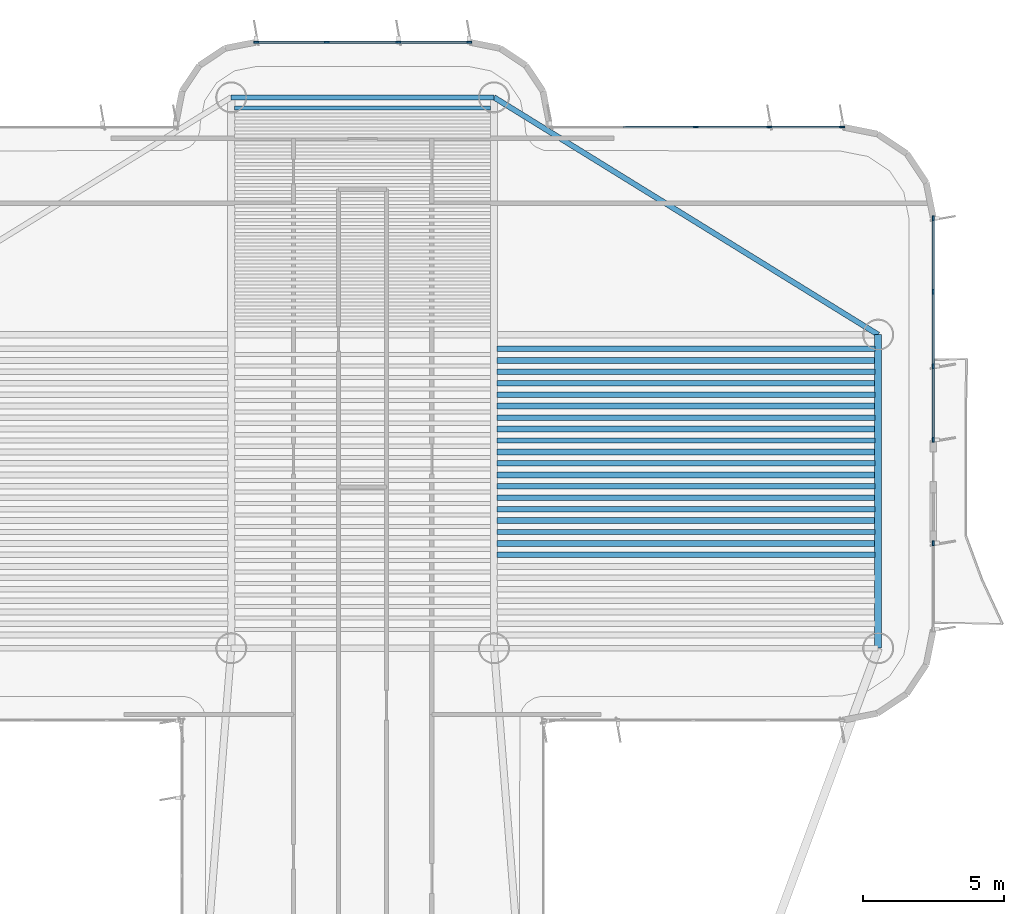
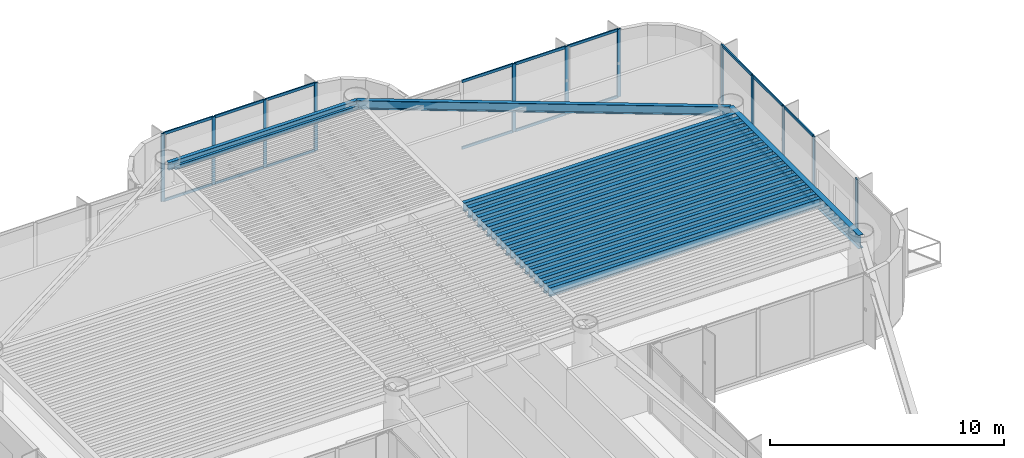
# One storey, part 7 of 13: 30 members, 23 beams, 4 elements without a shape of their own.
"""IFC4 building model written with IfcOpenShell, lengths in metres."""

from ifc_helpers import new_model, si_unit, direction, frame, origin, origin_2d, place, context, subcontext, project, spatial, rectangle, i_section, extrude, source, transform, mapped, material, layer, layer_set, material_profile, profile_set, type_object, element, aggregate, save


model = new_model("IFC4")

# Units and contexts
model_context = context("Model", 3, precision=1e-05, world=origin(), true_north=direction((0.0, 1.0)))
body_context = subcontext(model_context, "Body", "Model", "MODEL_VIEW")
ifc_project = project(units=[si_unit("LENGTHUNIT", "METRE"), si_unit("AREAUNIT", "SQUARE_METRE"), si_unit("VOLUMEUNIT", "CUBIC_METRE"), si_unit("PLANEANGLEUNIT", "RADIAN"), si_unit("MASSUNIT", "GRAM", prefix="KILO")], contexts=[model_context])

# Site, building, storey
site_placement = place(None, origin())
site = spatial("IfcSite", under=ifc_project, at=site_placement, CompositionType="ELEMENT")
building_placement = place(site_placement, origin())
building = spatial("IfcBuilding", under=site, at=building_placement, Name="Brelvock Crest Care Tower", CompositionType="ELEMENT")
storey_placement = place(building_placement, frame((0.0, 0.0, 190.43994140625)))
storey = spatial("IfcBuildingStorey", under=building, at=storey_placement, Name="L48", CompositionType="ELEMENT", Elevation=190.43994140625)

# Beams
ifc_material_1 = material(Name="Steel Grade 350", Category="steel")
ifc_material_profile_1 = material_profile(ifc_material_1, i_section(OverallWidth=0.177978515625, OverallDepth=0.406005859375, WebThickness=0.0078125, FlangeThickness=0.0126953125, FilletRadius=0.011474609375, at=origin_2d()), Name="410UB59.7")
ifc_profile_set_1 = profile_set([ifc_material_profile_1], Name="Steel Grade 350")
beam_type_1 = type_object("IfcBeamType", Name="BM-SP1", PredefinedType="SPANDREL", material=ifc_profile_set_1)
shared_shape_1 = source(origin(), body_context, "Body", "SweptSolid", [
    extrude(i_section(OverallWidth=0.177978515625, OverallDepth=0.406005859375, WebThickness=0.0078125, FlangeThickness=0.0126953125, FilletRadius=0.011474609375, at=origin_2d()), origin(), (0.0, 0.0, 1.0), 9.2998046875),
])
beam_1_placement = place(storey_placement, frame((31.35009765625, 54.449951171875, 3.3271484375), z_axis=(1.0, 0.0, 0.0), x_axis=(0.0, 1.0, 0.0)))
element("IfcBeam", 1, at=beam_1_placement, inside=storey, type_object=beam_type_1, Name="BM-TWR-L48-08", PredefinedType="SPANDREL", context=body_context, shape_type="MappedRepresentation", body=[
    mapped(shared_shape_1, transform((0.0, 0.0, 0.0), x_axis=(1.0, 0.0, 0.0), y_axis=(0.0, 1.0, 0.0), z_axis=(0.0, 0.0, 1.0), scale=1.0)),
])
ifc_material_profile_2 = material_profile(ifc_material_1, i_section(OverallWidth=0.134033203125, OverallDepth=0.20703125, WebThickness=0.00634765625, FlangeThickness=0.009521484375, FilletRadius=0.0087890625, at=origin_2d()), Name="200UB29.8")
ifc_profile_set_2 = profile_set([ifc_material_profile_2], Name="Steel Grade 350")
beam_type_2 = type_object("IfcBeamType", Name="BM-J4", PredefinedType="JOIST", material=ifc_profile_set_2)
shared_shape_2 = source(origin(), body_context, "Body", "SweptSolid", [
    extrude(i_section(OverallWidth=0.134033203125, OverallDepth=0.20703125, WebThickness=0.00634765625, FlangeThickness=0.009521484375, FilletRadius=0.0087890625, at=origin_2d()), origin(), (0.0, 0.0, 1.0), 9.06982421875),
])
beam_2_placement = place(storey_placement, frame((31.465087890625, 54.06787109375, 3.426513671875), z_axis=(1.0, 0.0, 0.0), x_axis=(0.0, 1.0, 0.0)))
element("IfcBeam", 2, at=beam_2_placement, inside=storey, type_object=beam_type_2, Name="BM-JN-L48-32", PredefinedType="JOIST", context=body_context, shape_type="MappedRepresentation", body=[
    mapped(shared_shape_2, transform((0.0, 0.0, 0.0), x_axis=(1.0, 0.0, 0.0), y_axis=(0.0, 1.0, 0.0), z_axis=(0.0, 0.0, 1.0), scale=1.0)),
])
ifc_material_profile_3 = material_profile(ifc_material_1, i_section(OverallWidth=0.208984375, OverallDepth=0.532958984375, WebThickness=0.01025390625, FlangeThickness=0.015625, FilletRadius=0.013916015625, at=origin_2d()), Name="530UB92.4")
ifc_profile_set_3 = profile_set([ifc_material_profile_3], Name="Steel Grade 350")
beam_type_3 = type_object("IfcBeamType", Name="BM-G2", PredefinedType="BEAM", material=ifc_profile_set_3)
shared_shape_3 = source(origin(), body_context, "Body", "SweptSolid", [
    extrude(i_section(OverallWidth=0.208984375, OverallDepth=0.532958984375, WebThickness=0.01025390625, FlangeThickness=0.015625, FilletRadius=0.013916015625, at=origin_2d()), origin(), (0.0, 0.0, 1.0), 13.3701171875),
])
for number, where, z_axis, x_axis, name in (
    (3, (40.764892578125, 38.657470703125, 3.263671875), (1.0, 0.0, 0.0), (0.0, 1.0, 0.0), "BM-JE-L48-9"),
    (4, (40.764892578125, 39.4677734375, 3.263671875), (1.0, 0.0, 0.0), (0.0, 1.0, 0.0), "BM-JE-L48-11"),
    (5, (40.764892578125, 40.278076171875, 3.263671875), (1.0, 0.0, 0.0), (0.0, 1.0, 0.0), "BM-JE-L48-13"),
    (6, (40.764892578125, 41.08837890625, 3.263671875), (1.0, 0.0, 0.0), (0.0, 1.0, 0.0), "BM-JE-L48-15"),
    (7, (40.764892578125, 41.898681640625, 3.263671875), (1.0, 0.0, 0.0), (0.0, 1.0, 0.0), "BM-JE-L48-17"),
    (8, (40.764892578125, 42.708984375, 3.263671875), (1.0, 0.0, 0.0), (0.0, 1.0, 0.0), "BM-JE-L48-19"),
    (9, (40.764892578125, 43.519287109375, 3.263671875), (1.0, 0.0, 0.0), (0.0, 1.0, 0.0), "BM-JE-L48-21"),
    (10, (40.764892578125, 44.32958984375, 3.263671875), (1.0, 0.0, 0.0), (0.0, 1.0, 0.0), "BM-JE-L48-23"),
    (11, (40.764892578125, 45.139892578125, 3.263671875), (1.0, 0.0, 0.0), (0.0, 1.0, 0.0), "BM-JE-L48-25"),
):
    element("IfcBeam", number, at=place(storey_placement, frame(where, z_axis=z_axis, x_axis=x_axis)), inside=storey, type_object=beam_type_3, Name=name, PredefinedType="BEAM", context=body_context, shape_type="MappedRepresentation", body=[
        mapped(shared_shape_3, transform((0.0, 0.0, 0.0), x_axis=(1.0, 0.0, 0.0), y_axis=(0.0, 1.0, 0.0), z_axis=(0.0, 0.0, 1.0), scale=1.0)),
    ])
ifc_material_profile_4 = material_profile(ifc_material_1, i_section(OverallWidth=0.19091796875, OverallDepth=0.4599609375, WebThickness=0.010009765625, FlangeThickness=0.01611328125, FilletRadius=0.011474609375, at=origin_2d()), Name="460UB82.1")
ifc_profile_set_4 = profile_set([ifc_material_profile_4], Name="Steel Grade 350")
beam_type_4 = type_object("IfcBeamType", Name="BM-G3", PredefinedType="BEAM", material=ifc_profile_set_4)
shared_shape_4 = source(origin(), body_context, "Body", "SweptSolid", [
    extrude(i_section(OverallWidth=0.19091796875, OverallDepth=0.4599609375, WebThickness=0.010009765625, FlangeThickness=0.01611328125, FilletRadius=0.011474609375, at=origin_2d()), origin(), (0.0, 0.0, 1.0), 13.3701171875),
])
for number, where, z_axis, x_axis, name in (
    (12, (40.764892578125, 38.252197265625, 3.300048828125), (1.0, 0.0, 0.0), (0.0, 1.0, 0.0), "BM-JE-L48-8"),
    (13, (40.764892578125, 39.0625, 3.300048828125), (1.0, 0.0, 0.0), (0.0, 1.0, 0.0), "BM-JE-L48-10"),
    (14, (40.764892578125, 39.872802734375, 3.300048828125), (1.0, 0.0, 0.0), (0.0, 1.0, 0.0), "BM-JE-L48-12"),
    (15, (40.764892578125, 40.68310546875, 3.300048828125), (1.0, 0.0, 0.0), (0.0, 1.0, 0.0), "BM-JE-L48-14"),
    (16, (40.764892578125, 41.493408203125, 3.300048828125), (1.0, 0.0, 0.0), (0.0, 1.0, 0.0), "BM-JE-L48-16"),
    (17, (40.764892578125, 42.3037109375, 3.300048828125), (1.0, 0.0, 0.0), (0.0, 1.0, 0.0), "BM-JE-L48-18"),
    (18, (40.764892578125, 43.114013671875, 3.300048828125), (1.0, 0.0, 0.0), (0.0, 1.0, 0.0), "BM-JE-L48-20"),
    (19, (40.764892578125, 43.92431640625, 3.300048828125), (1.0, 0.0, 0.0), (0.0, 1.0, 0.0), "BM-JE-L48-22"),
    (20, (40.764892578125, 44.734619140625, 3.300048828125), (1.0, 0.0, 0.0), (0.0, 1.0, 0.0), "BM-JE-L48-24"),
    (21, (40.764892578125, 45.544921875, 3.300048828125), (1.0, 0.0, 0.0), (0.0, 1.0, 0.0), "BM-JE-L48-26"),
):
    element("IfcBeam", number, at=place(storey_placement, frame(where, z_axis=z_axis, x_axis=x_axis)), inside=storey, type_object=beam_type_4, Name=name, PredefinedType="BEAM", context=body_context, shape_type="MappedRepresentation", body=[
        mapped(shared_shape_4, transform((0.0, 0.0, 0.0), x_axis=(1.0, 0.0, 0.0), y_axis=(0.0, 1.0, 0.0), z_axis=(0.0, 0.0, 1.0), scale=1.0)),
    ])
ifc_material_profile_5 = material_profile(ifc_material_1, i_section(OverallWidth=0.25, OverallDepth=0.699951171875, WebThickness=0.011962890625, FlangeThickness=0.02001953125, at=origin_2d()), Name="700WB150")
ifc_profile_set_5 = profile_set([ifc_material_profile_5], Name="Steel Grade 350")
beam_type_5 = type_object("IfcBeamType", Name="BM-G4", PredefinedType="BEAM", material=ifc_profile_set_5)
shared_shape_5 = source(origin(), body_context, "Body", "SweptSolid", [
    extrude(i_section(OverallWidth=0.25, OverallDepth=0.699951171875, WebThickness=0.011962890625, FlangeThickness=0.02001953125, at=origin_2d()), origin(), (0.0, 0.0, 1.0), 11.10009765625),
])
beam_3_placement = place(storey_placement, frame((54.25, 34.949951171875, 3.18017578125), z_axis=(0.0, 1.0, 0.0), x_axis=(-1.0, 0.0, 0.0)))
element("IfcBeam", 22, at=beam_3_placement, inside=storey, type_object=beam_type_5, Name="BM-TWR-L48-02", PredefinedType="BEAM", context=body_context, shape_type="MappedRepresentation", body=[
    mapped(shared_shape_5, transform((0.0, 0.0, 0.0), x_axis=(1.0, 0.0, 0.0), y_axis=(0.0, 1.0, 0.0), z_axis=(0.0, 0.0, 1.0), scale=1.0)),
])
ifc_material_profile_6 = material_profile(ifc_material_1, i_section(OverallWidth=0.19091796875, OverallDepth=0.4599609375, WebThickness=0.010009765625, FlangeThickness=0.01611328125, FilletRadius=0.011474609375, at=origin_2d()), Name="460UB82.1")
ifc_profile_set_6 = profile_set([ifc_material_profile_6], Name="Steel Grade 350")
beam_type_6 = type_object("IfcBeamType", Name="BM-SP2", PredefinedType="SPANDREL", material=ifc_profile_set_6)
shared_shape_6 = source(origin(), body_context, "Body", "SweptSolid", [
    extrude(i_section(OverallWidth=0.19091796875, OverallDepth=0.4599609375, WebThickness=0.010009765625, FlangeThickness=0.01611328125, FilletRadius=0.011474609375, at=origin_2d()), origin(), (0.0, 0.0, 1.0), 15.985107421875),
])
beam_4_placement = place(storey_placement, frame((40.64990234375, 54.449951171875, 3.300048828125), z_axis=(0.850802415717, -0.525485727124, 0.0), x_axis=(0.525485727124, 0.850802415717, 0.0)))
element("IfcBeam", 23, at=beam_4_placement, inside=storey, type_object=beam_type_6, Name="BM-TWR-L48-07", PredefinedType="SPANDREL", context=body_context, shape_type="MappedRepresentation", body=[
    mapped(shared_shape_6, transform((0.0, 0.0, 0.0), x_axis=(1.0, 0.0, 0.0), y_axis=(0.0, 1.0, 0.0), z_axis=(0.0, 0.0, 1.0), scale=1.0)),
])

# Curtain wall, members
ifc_material_2 = material(Name="Dark Glass Double Glazed Low-E", Category="glass")
ifc_layer = layer(ifc_material_2, 0.22509765625, Name="CWS-4")
ifc_layer_set = layer_set([ifc_layer], Name="Dark Glass Double Glazed Low-E")
curtain_wall_type = type_object("IfcCurtainWallType", Name="CWS-4", PredefinedType="NOTDEFINED", material=ifc_layer_set)
curtain_wall_1_placement = place(storey_placement, origin())
curtain_wall_1 = element("IfcCurtainWall", 24, at=curtain_wall_1_placement, inside=storey, type_object=curtain_wall_type, Name="L48 Curtain Wall E28", PredefinedType="NOTDEFINED")
ifc_material_3 = material(Name="Aluminium 6063-T6", Category="aluminium")
ifc_material_profile_7 = material_profile(ifc_material_3, rectangle(XDim=0.06005859375, YDim=0.179931640625, at=origin_2d()), Name="ALU60x180")
ifc_profile_set_7 = profile_set([ifc_material_profile_7], Name="Aluminium 6063-T6")
member_type_1 = type_object("IfcMemberType", Name="CWM-2", PredefinedType="MULLION", material=ifc_profile_set_7)
shared_shape_7 = source(origin(), body_context, "Body", "SweptSolid", [
    extrude(rectangle(XDim=0.06005859375, YDim=0.179931640625, at=origin_2d()), origin(), (0.0, 0.0, 1.0), 3.530029296875),
])
member_1_placement = place(storey_placement, frame((32.22998046875, 56.39990234375, 0.0), z_axis=(0.0, 0.0, 1.0), x_axis=(0.0, 1.0, 0.0)))
member_1 = element("IfcMember", 25, at=member_1_placement, type_object=member_type_1, Name="CW-4 mullion 1", PredefinedType="MULLION", context=body_context, shape_type="MappedRepresentation", body=[
    mapped(shared_shape_7, transform((0.0, 0.0, 0.0), x_axis=(1.0, 0.0, 0.0), y_axis=(0.0, 1.0, 0.0), z_axis=(0.0, 0.0, 1.0), scale=1.0)),
])
member_2_placement = place(storey_placement, frame((34.7333984375, 56.39990234375, 0.0), z_axis=(0.0, 0.0, 1.0), x_axis=(0.0, 1.0, 0.0)))
member_2 = element("IfcMember", 26, at=member_2_placement, type_object=member_type_1, Name="CW-4 mullion 2", PredefinedType="MULLION", context=body_context, shape_type="MappedRepresentation", body=[
    mapped(shared_shape_7, transform((0.0, 0.0, 0.0), x_axis=(1.0, 0.0, 0.0), y_axis=(0.0, 1.0, 0.0), z_axis=(0.0, 0.0, 1.0), scale=1.0)),
])
member_3_placement = place(storey_placement, frame((37.2666015625, 56.39990234375, 0.0), z_axis=(0.0, 0.0, 1.0), x_axis=(0.0, 1.0, 0.0)))
member_3 = element("IfcMember", 27, at=member_3_placement, type_object=member_type_1, Name="CW-4 mullion 3", PredefinedType="MULLION", context=body_context, shape_type="MappedRepresentation", body=[
    mapped(shared_shape_7, transform((0.0, 0.0, 0.0), x_axis=(1.0, 0.0, 0.0), y_axis=(0.0, 1.0, 0.0), z_axis=(0.0, 0.0, 1.0), scale=1.0)),
])
member_4_placement = place(storey_placement, frame((39.77001953125, 56.39990234375, 0.0), z_axis=(0.0, 0.0, 1.0), x_axis=(0.0, 1.0, 0.0)))
member_4 = element("IfcMember", 28, at=member_4_placement, type_object=member_type_1, Name="CW-4 mullion 4", PredefinedType="MULLION", context=body_context, shape_type="MappedRepresentation", body=[
    mapped(shared_shape_7, transform((0.0, 0.0, 0.0), x_axis=(1.0, 0.0, 0.0), y_axis=(0.0, 1.0, 0.0), z_axis=(0.0, 0.0, 1.0), scale=1.0)),
])

curtain_wall_2_placement = place(storey_placement, origin())
curtain_wall_2 = element("IfcCurtainWall", 29, at=curtain_wall_2_placement, inside=storey, type_object=curtain_wall_type, Name="L48 Curtain Wall E34", PredefinedType="NOTDEFINED")
member_5_placement = place(storey_placement, frame((47.800048828125, 53.39990234375, 0.0), z_axis=(0.0, 0.0, 1.0), x_axis=(0.0, 1.0, 0.0)))
member_5 = element("IfcMember", 30, at=member_5_placement, type_object=member_type_1, Name="CW-4 mullion 3", PredefinedType="MULLION", context=body_context, shape_type="MappedRepresentation", body=[
    mapped(shared_shape_7, transform((0.0, 0.0, 0.0), x_axis=(1.0, 0.0, 0.0), y_axis=(0.0, 1.0, 0.0), z_axis=(0.0, 0.0, 1.0), scale=1.0)),
])
member_6_placement = place(storey_placement, frame((50.39990234375, 53.39990234375, 0.0), z_axis=(0.0, 0.0, 1.0), x_axis=(0.0, 1.0, 0.0)))
member_6 = element("IfcMember", 31, at=member_6_placement, type_object=member_type_1, Name="CW-4 mullion 4", PredefinedType="MULLION", context=body_context, shape_type="MappedRepresentation", body=[
    mapped(shared_shape_7, transform((0.0, 0.0, 0.0), x_axis=(1.0, 0.0, 0.0), y_axis=(0.0, 1.0, 0.0), z_axis=(0.0, 0.0, 1.0), scale=1.0)),
])
member_7_placement = place(storey_placement, frame((52.969970703125, 53.39990234375, 0.0), z_axis=(0.0, 0.0, 1.0), x_axis=(0.0, 1.0, 0.0)))
member_7 = element("IfcMember", 32, at=member_7_placement, type_object=member_type_1, Name="CW-4 mullion 5", PredefinedType="MULLION", context=body_context, shape_type="MappedRepresentation", body=[
    mapped(shared_shape_7, transform((0.0, 0.0, 0.0), x_axis=(1.0, 0.0, 0.0), y_axis=(0.0, 1.0, 0.0), z_axis=(0.0, 0.0, 1.0), scale=1.0)),
])

curtain_wall_3_placement = place(storey_placement, origin())
curtain_wall_3 = element("IfcCurtainWall", 33, at=curtain_wall_3_placement, inside=storey, type_object=curtain_wall_type, Name="L48 Curtain Wall E39A", PredefinedType="NOTDEFINED")
member_8_placement = place(storey_placement, frame((56.199951171875, 50.169921875, 0.0), z_axis=(0.0, 0.0, 1.0), x_axis=(1.0, 0.0, 0.0)))
member_8 = element("IfcMember", 34, at=member_8_placement, type_object=member_type_1, Name="CW-4 mullion 1", PredefinedType="MULLION", context=body_context, shape_type="MappedRepresentation", body=[
    mapped(shared_shape_7, transform((0.0, 0.0, 0.0), x_axis=(1.0, 0.0, 0.0), y_axis=(0.0, 1.0, 0.0), z_axis=(0.0, 0.0, 1.0), scale=1.0)),
])
member_9_placement = place(storey_placement, frame((56.199951171875, 47.566650390625, 0.0), z_axis=(0.0, 0.0, 1.0), x_axis=(1.0, 0.0, 0.0)))
member_9 = element("IfcMember", 35, at=member_9_placement, type_object=member_type_1, Name="CW-4 mullion 2", PredefinedType="MULLION", context=body_context, shape_type="MappedRepresentation", body=[
    mapped(shared_shape_7, transform((0.0, 0.0, 0.0), x_axis=(1.0, 0.0, 0.0), y_axis=(0.0, 1.0, 0.0), z_axis=(0.0, 0.0, 1.0), scale=1.0)),
])
member_10_placement = place(storey_placement, frame((56.199951171875, 44.933349609375, 0.0), z_axis=(0.0, 0.0, 1.0), x_axis=(1.0, 0.0, 0.0)))
member_10 = element("IfcMember", 36, at=member_10_placement, type_object=member_type_1, Name="CW-4 mullion 3", PredefinedType="MULLION", context=body_context, shape_type="MappedRepresentation", body=[
    mapped(shared_shape_7, transform((0.0, 0.0, 0.0), x_axis=(1.0, 0.0, 0.0), y_axis=(0.0, 1.0, 0.0), z_axis=(0.0, 0.0, 1.0), scale=1.0)),
])
member_11_placement = place(storey_placement, frame((56.199951171875, 42.330078125, 0.0), z_axis=(0.0, 0.0, 1.0), x_axis=(1.0, 0.0, 0.0)))
member_11 = element("IfcMember", 37, at=member_11_placement, type_object=member_type_1, Name="CW-4 mullion 4", PredefinedType="MULLION", context=body_context, shape_type="MappedRepresentation", body=[
    mapped(shared_shape_7, transform((0.0, 0.0, 0.0), x_axis=(1.0, 0.0, 0.0), y_axis=(0.0, 1.0, 0.0), z_axis=(0.0, 0.0, 1.0), scale=1.0)),
])

# Curtain wall, member
curtain_wall_4_placement = place(storey_placement, origin())
curtain_wall_4 = element("IfcCurtainWall", 38, at=curtain_wall_4_placement, inside=storey, type_object=curtain_wall_type, Name="L48 Curtain Wall E39B", PredefinedType="NOTDEFINED")
member_12_placement = place(storey_placement, frame((56.199951171875, 38.669921875, 0.0), z_axis=(0.0, 0.0, 1.0), x_axis=(1.0, 0.0, 0.0)))
member_12 = element("IfcMember", 39, at=member_12_placement, type_object=member_type_1, Name="CW-4 mullion 1", PredefinedType="MULLION", context=body_context, shape_type="MappedRepresentation", body=[
    mapped(shared_shape_7, transform((0.0, 0.0, 0.0), x_axis=(1.0, 0.0, 0.0), y_axis=(0.0, 1.0, 0.0), z_axis=(0.0, 0.0, 1.0), scale=1.0)),
])
aggregate(curtain_wall_4, [member_12])

# Member
ifc_material_profile_8 = material_profile(ifc_material_3, rectangle(XDim=0.06005859375, YDim=0.139892578125, at=origin_2d()), Name="ALU60x140")
ifc_profile_set_8 = profile_set([ifc_material_profile_8], Name="Aluminium 6063-T6")
member_type_2 = type_object("IfcMemberType", Name="CWT-2", PredefinedType="USERDEFINED", material=ifc_profile_set_8)
shared_shape_8 = source(origin(), body_context, "Body", "SweptSolid", [
    extrude(rectangle(XDim=0.06005859375, YDim=0.139892578125, at=origin_2d()), origin(), (0.0, 0.0, 1.0), 2.443359375),
])
member_13_placement = place(storey_placement, frame((32.260009765625, 56.39990234375, 0.030029296875), z_axis=(1.0, 0.0, 0.0), x_axis=(0.0, 1.0, 0.0)))
member_13 = element("IfcMember", 40, at=member_13_placement, type_object=member_type_2, Name="CW-4 transom 1.1", ObjectType="TRANSOM", PredefinedType="USERDEFINED", context=body_context, shape_type="MappedRepresentation", body=[
    mapped(shared_shape_8, transform((0.0, 0.0, 0.0), x_axis=(1.0, 0.0, 0.0), y_axis=(0.0, 1.0, 0.0), z_axis=(0.0, 0.0, 1.0), scale=1.0)),
])

member_14_placement = place(storey_placement, frame((32.260009765625, 56.39990234375, 3.5), z_axis=(1.0, 0.0, 0.0), x_axis=(0.0, 1.0, 0.0)))
member_14 = element("IfcMember", 41, at=member_14_placement, type_object=member_type_2, Name="CW-4 transom 1.2", ObjectType="TRANSOM", PredefinedType="USERDEFINED", context=body_context, shape_type="MappedRepresentation", body=[
    mapped(shared_shape_8, transform((0.0, 0.0, 0.0), x_axis=(1.0, 0.0, 0.0), y_axis=(0.0, 1.0, 0.0), z_axis=(0.0, 0.0, 1.0), scale=1.0)),
])

member_15_placement = place(storey_placement, frame((37.296630859375, 56.39990234375, 0.030029296875), z_axis=(1.0, 0.0, 0.0), x_axis=(0.0, 1.0, 0.0)))
member_15 = element("IfcMember", 42, at=member_15_placement, type_object=member_type_2, Name="CW-4 transom 3.1", ObjectType="TRANSOM", PredefinedType="USERDEFINED", context=body_context, shape_type="MappedRepresentation", body=[
    mapped(shared_shape_8, transform((0.0, 0.0, 0.0), x_axis=(1.0, 0.0, 0.0), y_axis=(0.0, 1.0, 0.0), z_axis=(0.0, 0.0, 1.0), scale=1.0)),
])

member_16_placement = place(storey_placement, frame((37.296630859375, 56.39990234375, 3.5), z_axis=(1.0, 0.0, 0.0), x_axis=(0.0, 1.0, 0.0)))
member_16 = element("IfcMember", 43, at=member_16_placement, type_object=member_type_2, Name="CW-4 transom 3.2", ObjectType="TRANSOM", PredefinedType="USERDEFINED", context=body_context, shape_type="MappedRepresentation", body=[
    mapped(shared_shape_8, transform((0.0, 0.0, 0.0), x_axis=(1.0, 0.0, 0.0), y_axis=(0.0, 1.0, 0.0), z_axis=(0.0, 0.0, 1.0), scale=1.0)),
])

shared_shape_9 = source(origin(), body_context, "Body", "SweptSolid", [
    extrude(rectangle(XDim=0.06005859375, YDim=0.139892578125, at=origin_2d()), origin(), (0.0, 0.0, 1.0), 2.47314453125),
])
member_17_placement = place(storey_placement, frame((34.763427734375, 56.39990234375, 0.030029296875), z_axis=(1.0, 0.0, 0.0), x_axis=(0.0, 1.0, 0.0)))
member_17 = element("IfcMember", 44, at=member_17_placement, type_object=member_type_2, Name="CW-4 transom 2.1", ObjectType="TRANSOM", PredefinedType="USERDEFINED", context=body_context, shape_type="MappedRepresentation", body=[
    mapped(shared_shape_9, transform((0.0, 0.0, 0.0), x_axis=(1.0, 0.0, 0.0), y_axis=(0.0, 1.0, 0.0), z_axis=(0.0, 0.0, 1.0), scale=1.0)),
])

member_18_placement = place(storey_placement, frame((34.763427734375, 56.39990234375, 3.5), z_axis=(1.0, 0.0, 0.0), x_axis=(0.0, 1.0, 0.0)))
member_18 = element("IfcMember", 45, at=member_18_placement, type_object=member_type_2, Name="CW-4 transom 2.2", ObjectType="TRANSOM", PredefinedType="USERDEFINED", context=body_context, shape_type="MappedRepresentation", body=[
    mapped(shared_shape_9, transform((0.0, 0.0, 0.0), x_axis=(1.0, 0.0, 0.0), y_axis=(0.0, 1.0, 0.0), z_axis=(0.0, 0.0, 1.0), scale=1.0)),
])

aggregate(curtain_wall_1, [member_1, member_2, member_3, member_4, member_13, member_14, member_17, member_18, member_15, member_16])

shared_shape_10 = source(origin(), body_context, "Body", "SweptSolid", [
    extrude(rectangle(XDim=0.06005859375, YDim=0.139892578125, at=origin_2d()), origin(), (0.0, 0.0, 1.0), 2.510009765625),
])
member_19_placement = place(storey_placement, frame((50.429931640625, 53.39990234375, 0.030029296875), z_axis=(1.0, 0.0, 0.0), x_axis=(0.0, 1.0, 0.0)))
member_19 = element("IfcMember", 46, at=member_19_placement, type_object=member_type_2, Name="CW-4 transom 4.1", ObjectType="TRANSOM", PredefinedType="USERDEFINED", context=body_context, shape_type="MappedRepresentation", body=[
    mapped(shared_shape_10, transform((0.0, 0.0, 0.0), x_axis=(1.0, 0.0, 0.0), y_axis=(0.0, 1.0, 0.0), z_axis=(0.0, 0.0, 1.0), scale=1.0)),
])

member_20_placement = place(storey_placement, frame((50.429931640625, 53.39990234375, 3.5), z_axis=(1.0, 0.0, 0.0), x_axis=(0.0, 1.0, 0.0)))
member_20 = element("IfcMember", 47, at=member_20_placement, type_object=member_type_2, Name="CW-4 transom 4.2", ObjectType="TRANSOM", PredefinedType="USERDEFINED", context=body_context, shape_type="MappedRepresentation", body=[
    mapped(shared_shape_10, transform((0.0, 0.0, 0.0), x_axis=(1.0, 0.0, 0.0), y_axis=(0.0, 1.0, 0.0), z_axis=(0.0, 0.0, 1.0), scale=1.0)),
])

shared_shape_11 = source(origin(), body_context, "Body", "SweptSolid", [
    extrude(rectangle(XDim=0.06005859375, YDim=0.139892578125, at=origin_2d()), origin(), (0.0, 0.0, 1.0), 2.5400390625),
])
member_21_placement = place(storey_placement, frame((45.22998046875, 53.39990234375, 0.030029296875), z_axis=(1.0, 0.0, 0.0), x_axis=(0.0, 1.0, 0.0)))
member_21 = element("IfcMember", 48, at=member_21_placement, type_object=member_type_2, Name="CW-4 transom 2.1", ObjectType="TRANSOM", PredefinedType="USERDEFINED", context=body_context, shape_type="MappedRepresentation", body=[
    mapped(shared_shape_11, transform((0.0, 0.0, 0.0), x_axis=(1.0, 0.0, 0.0), y_axis=(0.0, 1.0, 0.0), z_axis=(0.0, 0.0, 1.0), scale=1.0)),
])

member_22_placement = place(storey_placement, frame((45.22998046875, 53.39990234375, 3.5), z_axis=(1.0, 0.0, 0.0), x_axis=(0.0, 1.0, 0.0)))
member_22 = element("IfcMember", 49, at=member_22_placement, type_object=member_type_2, Name="CW-4 transom 2.2", ObjectType="TRANSOM", PredefinedType="USERDEFINED", context=body_context, shape_type="MappedRepresentation", body=[
    mapped(shared_shape_11, transform((0.0, 0.0, 0.0), x_axis=(1.0, 0.0, 0.0), y_axis=(0.0, 1.0, 0.0), z_axis=(0.0, 0.0, 1.0), scale=1.0)),
])

member_23_placement = place(storey_placement, frame((47.830078125, 53.39990234375, 0.030029296875), z_axis=(1.0, 0.0, 0.0), x_axis=(0.0, 1.0, 0.0)))
member_23 = element("IfcMember", 50, at=member_23_placement, type_object=member_type_2, Name="CW-4 transom 3.1", ObjectType="TRANSOM", PredefinedType="USERDEFINED", context=body_context, shape_type="MappedRepresentation", body=[
    mapped(shared_shape_11, transform((0.0, 0.0, 0.0), x_axis=(1.0, 0.0, 0.0), y_axis=(0.0, 1.0, 0.0), z_axis=(0.0, 0.0, 1.0), scale=1.0)),
])

member_24_placement = place(storey_placement, frame((47.830078125, 53.39990234375, 3.5), z_axis=(1.0, 0.0, 0.0), x_axis=(0.0, 1.0, 0.0)))
member_24 = element("IfcMember", 51, at=member_24_placement, type_object=member_type_2, Name="CW-4 transom 3.2", ObjectType="TRANSOM", PredefinedType="USERDEFINED", context=body_context, shape_type="MappedRepresentation", body=[
    mapped(shared_shape_11, transform((0.0, 0.0, 0.0), x_axis=(1.0, 0.0, 0.0), y_axis=(0.0, 1.0, 0.0), z_axis=(0.0, 0.0, 1.0), scale=1.0)),
])

aggregate(curtain_wall_2, [member_5, member_6, member_7, member_21, member_22, member_23, member_24, member_19, member_20])

shared_shape_12 = source(origin(), body_context, "Body", "SweptSolid", [
    extrude(rectangle(XDim=0.06005859375, YDim=0.139892578125, at=origin_2d()), origin(), (0.0, 0.0, 1.0), 2.543212890625),
])
member_25_placement = place(storey_placement, frame((56.199951171875, 50.139892578125, 0.030029296875), z_axis=(0.0, -1.0, 0.0), x_axis=(1.0, 0.0, 0.0)))
member_25 = element("IfcMember", 52, at=member_25_placement, type_object=member_type_2, Name="CW-4 transom 1.1", ObjectType="TRANSOM", PredefinedType="USERDEFINED", context=body_context, shape_type="MappedRepresentation", body=[
    mapped(shared_shape_12, transform((0.0, 0.0, 0.0), x_axis=(1.0, 0.0, 0.0), y_axis=(0.0, 1.0, 0.0), z_axis=(0.0, 0.0, 1.0), scale=1.0)),
])

member_26_placement = place(storey_placement, frame((56.199951171875, 50.139892578125, 3.5), z_axis=(0.0, -1.0, 0.0), x_axis=(1.0, 0.0, 0.0)))
member_26 = element("IfcMember", 53, at=member_26_placement, type_object=member_type_2, Name="CW-4 transom 1.2", ObjectType="TRANSOM", PredefinedType="USERDEFINED", context=body_context, shape_type="MappedRepresentation", body=[
    mapped(shared_shape_12, transform((0.0, 0.0, 0.0), x_axis=(1.0, 0.0, 0.0), y_axis=(0.0, 1.0, 0.0), z_axis=(0.0, 0.0, 1.0), scale=1.0)),
])

member_27_placement = place(storey_placement, frame((56.199951171875, 44.9033203125, 0.030029296875), z_axis=(0.0, -1.0, 0.0), x_axis=(1.0, 0.0, 0.0)))
member_27 = element("IfcMember", 54, at=member_27_placement, type_object=member_type_2, Name="CW-4 transom 3.1", ObjectType="TRANSOM", PredefinedType="USERDEFINED", context=body_context, shape_type="MappedRepresentation", body=[
    mapped(shared_shape_12, transform((0.0, 0.0, 0.0), x_axis=(1.0, 0.0, 0.0), y_axis=(0.0, 1.0, 0.0), z_axis=(0.0, 0.0, 1.0), scale=1.0)),
])

member_28_placement = place(storey_placement, frame((56.199951171875, 44.9033203125, 3.5), z_axis=(0.0, -1.0, 0.0), x_axis=(1.0, 0.0, 0.0)))
member_28 = element("IfcMember", 55, at=member_28_placement, type_object=member_type_2, Name="CW-4 transom 3.2", ObjectType="TRANSOM", PredefinedType="USERDEFINED", context=body_context, shape_type="MappedRepresentation", body=[
    mapped(shared_shape_12, transform((0.0, 0.0, 0.0), x_axis=(1.0, 0.0, 0.0), y_axis=(0.0, 1.0, 0.0), z_axis=(0.0, 0.0, 1.0), scale=1.0)),
])

shared_shape_13 = source(origin(), body_context, "Body", "SweptSolid", [
    extrude(rectangle(XDim=0.06005859375, YDim=0.139892578125, at=origin_2d()), origin(), (0.0, 0.0, 1.0), 2.5732421875),
])
member_29_placement = place(storey_placement, frame((56.199951171875, 47.53662109375, 0.030029296875), z_axis=(0.0, -1.0, 0.0), x_axis=(1.0, 0.0, 0.0)))
member_29 = element("IfcMember", 56, at=member_29_placement, type_object=member_type_2, Name="CW-4 transom 2.1", ObjectType="TRANSOM", PredefinedType="USERDEFINED", context=body_context, shape_type="MappedRepresentation", body=[
    mapped(shared_shape_13, transform((0.0, 0.0, 0.0), x_axis=(1.0, 0.0, 0.0), y_axis=(0.0, 1.0, 0.0), z_axis=(0.0, 0.0, 1.0), scale=1.0)),
])

member_30_placement = place(storey_placement, frame((56.199951171875, 47.53662109375, 3.5), z_axis=(0.0, -1.0, 0.0), x_axis=(1.0, 0.0, 0.0)))
member_30 = element("IfcMember", 57, at=member_30_placement, type_object=member_type_2, Name="CW-4 transom 2.2", ObjectType="TRANSOM", PredefinedType="USERDEFINED", context=body_context, shape_type="MappedRepresentation", body=[
    mapped(shared_shape_13, transform((0.0, 0.0, 0.0), x_axis=(1.0, 0.0, 0.0), y_axis=(0.0, 1.0, 0.0), z_axis=(0.0, 0.0, 1.0), scale=1.0)),
])

aggregate(curtain_wall_3, [member_8, member_9, member_10, member_11, member_25, member_26, member_29, member_30, member_27, member_28])

save(model, "model.ifc")
